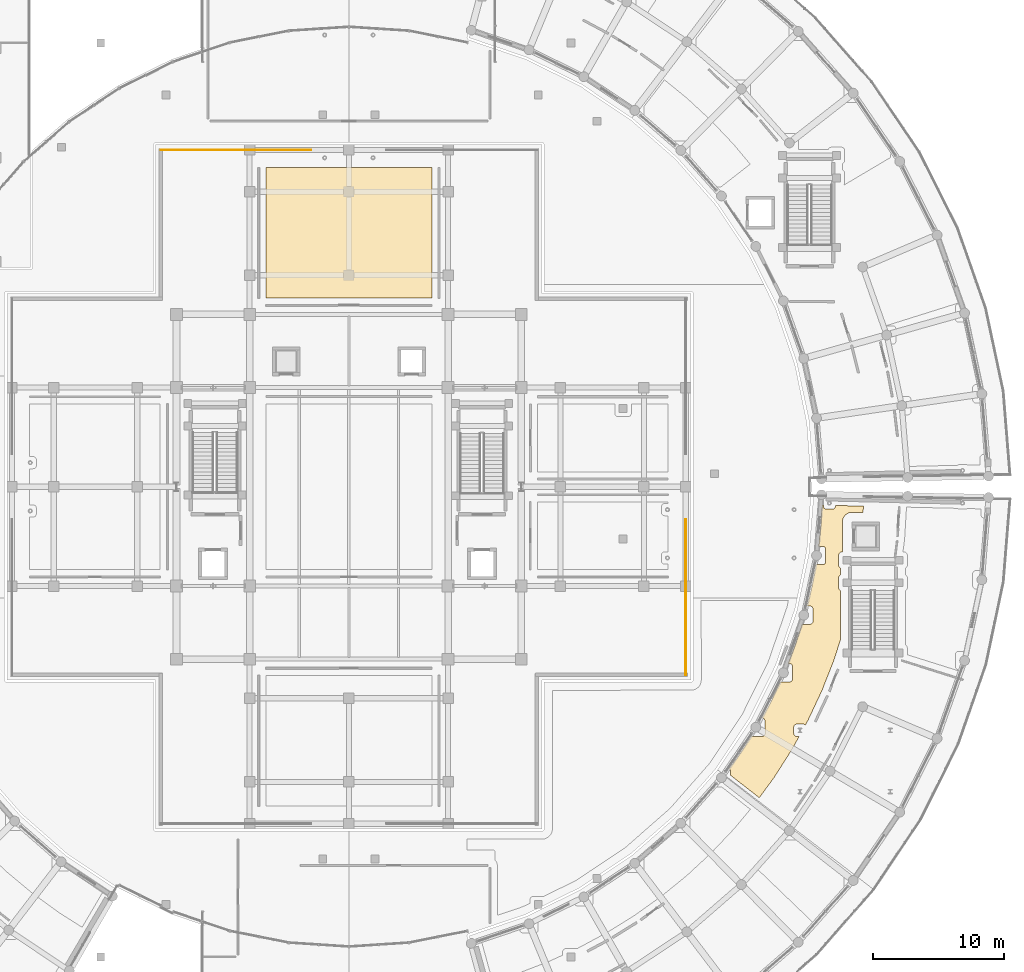
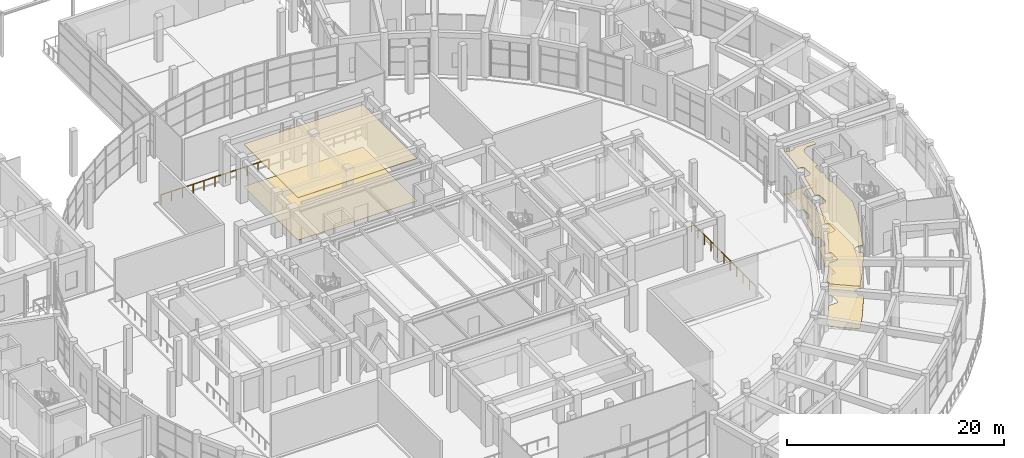
# One storey, part 91 of 99: 4 coverings, 2 railings.
"""IFC4 building model written with IfcOpenShell, lengths in metres."""

from ifc_helpers import new_model, si_unit, direction, frame, origin, origin_2d, place, context, subcontext, project, spatial, polyline, rectangle, outline, extrude, material, layer, layer_set, type_object, element, save


model = new_model("IFC4")

# Units and contexts
model_context = context("Model", 3, precision=1e-05, world=origin(), true_north=direction((0.0, 1.0)))
body_context = subcontext(model_context, "Body", "Model", "MODEL_VIEW")
ifc_project = project(units=[si_unit("LENGTHUNIT", "METRE"), si_unit("AREAUNIT", "SQUARE_METRE"), si_unit("VOLUMEUNIT", "CUBIC_METRE"), si_unit("PLANEANGLEUNIT", "RADIAN"), si_unit("MASSUNIT", "GRAM", prefix="KILO")], contexts=[model_context])

# Site, building, storey
site_placement = place(None, origin())
site = spatial("IfcSite", under=ifc_project, at=site_placement, CompositionType="ELEMENT")
building_placement = place(site_placement, origin())
building = spatial("IfcBuilding", under=site, at=building_placement, Name="Saryqyr Civic Hall", CompositionType="ELEMENT")
storey_placement = place(building_placement, origin())
storey = spatial("IfcBuildingStorey", under=building, at=storey_placement, Name="L00", CompositionType="ELEMENT", Elevation=0.0)

# Coverings
ifc_material_1 = material(Name="Mineral-fibre acoustic ceiling tile", Category="acoustic_tile")
ifc_layer_1 = layer(ifc_material_1, 0.06005859375, Name="Mineral-fibre acoustic ceiling tile")
ifc_layer_set_1 = layer_set([ifc_layer_1], Name="Mineral-fibre acoustic ceiling tile")
covering_type_1 = type_object("IfcCoveringType", Name="INT-COV-CEIL-60", PredefinedType="CEILING", material=ifc_layer_set_1)
covering_1_placement = place(storey_placement, frame((0.0, 0.0, 4.760009765625)))
element("IfcCovering", 1, at=covering_1_placement, inside=storey, type_object=covering_type_1, Name="Acoustic ceiling Civic Exhibition East Gallery", PredefinedType="CEILING", context=body_context, shape_type="SweptSolid", body=[
    extrude(outline(polyline([(88.62353515625, 64.884033203125), (88.64794921875, 64.88525390625), (88.67236328125, 64.888916015625), (88.696044921875, 64.894775390625), (88.71923828125, 64.903076171875), (88.7412109375, 64.91357421875), (88.762451171875, 64.926025390625), (88.781982421875, 64.940673828125), (88.80029296875, 64.957275390625), (88.81689453125, 64.975341796875), (88.831298828125, 64.9951171875), (88.843994140625, 65.01611328125), (88.8544921875, 65.038330078125), (88.86279296875, 65.061279296875), (88.86865234375, 65.085205078125), (88.872314453125, 65.109619140625), (88.87353515625, 65.134033203125), (88.87353515625, 66.0439453125), (88.872314453125, 66.068603515625), (88.86865234375, 66.0927734375), (88.86279296875, 66.11669921875), (88.8544921875, 66.1396484375), (88.843994140625, 66.161865234375), (88.831298828125, 66.182861328125), (88.81689453125, 66.20263671875), (88.80029296875, 66.220703125), (88.781982421875, 66.2373046875), (88.762451171875, 66.251953125), (88.7412109375, 66.264404296875), (88.71923828125, 66.27490234375), (88.696044921875, 66.283203125), (88.67236328125, 66.289306640625), (88.64794921875, 66.292724609375), (88.634521484375, 66.29345703125), (89.312255859375, 67.525390625), (89.328125, 67.556640625), (90.031494140625, 69.0546875), (90.736328125, 69.0546875), (90.760986328125, 69.055908203125), (90.78515625, 69.059326171875), (90.80908203125, 69.0654296875), (90.83203125, 69.073486328125), (90.854248046875, 69.083984375), (90.875244140625, 69.0966796875), (90.89501953125, 69.111328125), (90.9130859375, 69.127685546875), (90.9296875, 69.14599609375), (90.9443359375, 69.165771484375), (90.956787109375, 69.186767578125), (90.96728515625, 69.208984375), (90.9755859375, 69.23193359375), (90.981689453125, 69.255859375), (90.985107421875, 69.280029296875), (90.986328125, 69.3046875), (90.986328125, 70.214599609375), (90.985107421875, 70.239013671875), (90.981689453125, 70.263427734375), (90.9755859375, 70.287109375), (90.96728515625, 70.310302734375), (90.956787109375, 70.33251953125), (90.9443359375, 70.353515625), (90.9296875, 70.373291015625), (90.9130859375, 70.391357421875), (90.89501953125, 70.407958984375), (90.875244140625, 70.422607421875), (90.854248046875, 70.43505859375), (90.83203125, 70.445556640625), (90.80908203125, 70.453857421875), (90.78515625, 70.459716796875), (90.760986328125, 70.46337890625), (90.736328125, 70.464599609375), (90.631103515625, 70.464599609375), (91.14892578125, 71.779541015625), (91.160888671875, 71.8125), (91.691650390625, 73.462890625), (92.294189453125, 73.462890625), (92.318603515625, 73.464111328125), (92.343017578125, 73.467529296875), (92.36669921875, 73.4736328125), (92.389892578125, 73.481689453125), (92.412109375, 73.4921875), (92.43310546875, 73.5048828125), (92.452880859375, 73.51953125), (92.470947265625, 73.535888671875), (92.487548828125, 73.55419921875), (92.502197265625, 73.573974609375), (92.5146484375, 73.594970703125), (92.525146484375, 73.6171875), (92.533447265625, 73.64013671875), (92.539306640625, 73.6640625), (92.54296875, 73.688232421875), (92.544189453125, 73.712890625), (92.544189453125, 74.622802734375), (92.54296875, 74.647216796875), (92.539306640625, 74.671630859375), (92.533447265625, 74.6953125), (92.525146484375, 74.718505859375), (92.5146484375, 74.740478515625), (92.502197265625, 74.76171875), (92.487548828125, 74.781494140625), (92.470947265625, 74.799560546875), (92.452880859375, 74.816162109375), (92.43310546875, 74.830810546875), (92.412109375, 74.84326171875), (92.389892578125, 74.853759765625), (92.36669921875, 74.862060546875), (92.343017578125, 74.867919921875), (92.318603515625, 74.87158203125), (92.294189453125, 74.872802734375), (92.0849609375, 74.872802734375), (92.428466796875, 76.233154296875), (92.435791015625, 76.267333984375), (92.763671875, 78.034912109375), (93.270751953125, 78.034912109375), (93.29541015625, 78.0361328125), (93.319580078125, 78.039794921875), (93.343505859375, 78.045654296875), (93.366455078125, 78.053955078125), (93.388671875, 78.064453125), (93.40966796875, 78.076904296875), (93.429443359375, 78.091552734375), (93.447509765625, 78.108154296875), (93.464111328125, 78.126220703125), (93.478759765625, 78.14599609375), (93.4912109375, 78.1669921875), (93.501708984375, 78.189208984375), (93.510009765625, 78.21240234375), (93.51611328125, 78.236083984375), (93.51953125, 78.260498046875), (93.520751953125, 78.284912109375), (93.520751953125, 79.19482421875), (93.51953125, 79.219482421875), (93.51611328125, 79.24365234375), (93.510009765625, 79.267578125), (93.501708984375, 79.29052734375), (93.4912109375, 79.312744140625), (93.478759765625, 79.333740234375), (93.464111328125, 79.353515625), (93.447509765625, 79.37158203125), (93.429443359375, 79.38818359375), (93.40966796875, 79.40283203125), (93.388671875, 79.415283203125), (93.366455078125, 79.42578125), (93.343505859375, 79.43408203125), (93.319580078125, 79.440185546875), (93.29541015625, 79.443603515625), (93.270751953125, 79.44482421875), (92.965087890625, 79.44482421875), (93.12939453125, 80.8134765625), (93.132568359375, 80.848388671875), (93.229736328125, 82.595947265625), (93.33349609375, 82.593505859375), (93.33349609375, 82.533447265625), (93.334716796875, 82.509033203125), (93.33837890625, 82.484619140625), (93.34423828125, 82.4609375), (93.3525390625, 82.437744140625), (93.363037109375, 82.415771484375), (93.37548828125, 82.39453125), (93.39013671875, 82.375), (93.40673828125, 82.356689453125), (93.4248046875, 82.340087890625), (93.444580078125, 82.32568359375), (93.4658203125, 82.31298828125), (93.48779296875, 82.302490234375), (93.510986328125, 82.294189453125), (93.53466796875, 82.288330078125), (93.55908203125, 82.28466796875), (93.58349609375, 82.283447265625), (94.0166015625, 82.283447265625), (94.041015625, 82.28466796875), (94.065185546875, 82.288330078125), (94.089111328125, 82.294189453125), (94.1123046875, 82.302490234375), (94.13427734375, 82.31298828125), (94.155517578125, 82.32568359375), (94.175048828125, 82.340087890625), (94.193359375, 82.356689453125), (94.209716796875, 82.375), (94.224365234375, 82.39453125), (94.237060546875, 82.415771484375), (94.24755859375, 82.437744140625), (94.255615234375, 82.4609375), (94.26171875, 82.484619140625), (94.265380859375, 82.509033203125), (94.2666015625, 82.533447265625), (94.2666015625, 82.571533203125), (96.408203125, 82.52099609375), (96.382080078125, 82.050048828125), (95.550048828125, 82.050048828125), (95.530517578125, 82.049560546875), (95.49609375, 82.0478515625), (95.45703125, 82.0439453125), (95.423095703125, 82.038818359375), (95.384521484375, 82.03125), (95.351318359375, 82.02294921875), (95.313720703125, 82.011474609375), (95.28125, 82.0), (95.2451171875, 81.985107421875), (95.214111328125, 81.97021484375), (95.179443359375, 81.951904296875), (95.14990234375, 81.93408203125), (95.1171875, 81.912353515625), (95.089599609375, 81.891845703125), (95.059326171875, 81.866943359375), (95.033935546875, 81.843994140625), (95.006103515625, 81.816162109375), (94.983154296875, 81.790771484375), (94.958251953125, 81.76025390625), (94.937744140625, 81.732666015625), (94.916015625, 81.7001953125), (94.898193359375, 81.670654296875), (94.879638671875, 81.635986328125), (94.864990234375, 81.60498046875), (94.85009765625, 81.568603515625), (94.83837890625, 81.536376953125), (94.8271484375, 81.498779296875), (94.818603515625, 81.465576171875), (94.81103515625, 81.427001953125), (94.805908203125, 81.39306640625), (94.80224609375, 81.35400390625), (94.800537109375, 81.319580078125), (94.800048828125, 81.300048828125), (94.800048828125, 79.10009765625), (94.800537109375, 79.080322265625), (94.80224609375, 79.046142578125), (94.8056640625, 79.010009765625), (94.760009765625, 79.010009765625), (94.735595703125, 79.0087890625), (94.711181640625, 79.005126953125), (94.6875, 78.999267578125), (94.664306640625, 78.990966796875), (94.64208984375, 78.98046875), (94.62109375, 78.968017578125), (94.601318359375, 78.953369140625), (94.583251953125, 78.936767578125), (94.566650390625, 78.918701171875), (94.552001953125, 78.89892578125), (94.53955078125, 78.877685546875), (94.529052734375, 78.855712890625), (94.520751953125, 78.83251953125), (94.514892578125, 78.808837890625), (94.51123046875, 78.784423828125), (94.510009765625, 78.760009765625), (94.510009765625, 78.0), (94.51123046875, 77.9755859375), (94.514892578125, 77.951171875), (94.520751953125, 77.927490234375), (94.529052734375, 77.904296875), (94.53955078125, 77.882080078125), (94.552001953125, 77.861083984375), (94.566650390625, 77.84130859375), (94.583251953125, 77.8232421875), (94.601318359375, 77.806640625), (94.62109375, 77.7919921875), (94.64208984375, 77.779541015625), (94.659912109375, 77.77099609375), (94.659912109375, 77.2587890625), (94.64208984375, 77.25048828125), (94.62109375, 77.23779296875), (94.601318359375, 77.223388671875), (94.583251953125, 77.206787109375), (94.566650390625, 77.188720703125), (94.552001953125, 77.1689453125), (94.53955078125, 77.147705078125), (94.529052734375, 77.125732421875), (94.520751953125, 77.1025390625), (94.514892578125, 77.078857421875), (94.51123046875, 77.054443359375), (94.510009765625, 77.030029296875), (94.510009765625, 76.27001953125), (94.51123046875, 76.24560546875), (94.514892578125, 76.22119140625), (94.520751953125, 76.197509765625), (94.529052734375, 76.17431640625), (94.53955078125, 76.152099609375), (94.552001953125, 76.131103515625), (94.566650390625, 76.111328125), (94.583251953125, 76.09326171875), (94.601318359375, 76.07666015625), (94.62109375, 76.06201171875), (94.64208984375, 76.049560546875), (94.659912109375, 76.041015625), (94.659912109375, 72.318603515625), (94.1494140625, 70.7255859375), (93.2255859375, 68.380126953125), (92.15380859375, 66.097900390625), (91.962646484375, 65.750244140625), (91.956787109375, 65.7568359375), (91.938720703125, 65.773193359375), (91.9189453125, 65.787841796875), (91.897705078125, 65.800537109375), (91.875732421875, 65.81103515625), (91.8525390625, 65.819091796875), (91.828857421875, 65.8251953125), (91.804443359375, 65.828857421875), (91.780029296875, 65.830078125), (91.320068359375, 65.830078125), (91.29541015625, 65.828857421875), (91.271240234375, 65.8251953125), (91.247314453125, 65.819091796875), (91.224365234375, 65.81103515625), (91.2021484375, 65.800537109375), (91.18115234375, 65.787841796875), (91.161376953125, 65.773193359375), (91.143310546875, 65.7568359375), (91.126708984375, 65.738525390625), (91.112060546875, 65.718994140625), (91.099609375, 65.69775390625), (91.089111328125, 65.67578125), (91.080810546875, 65.652587890625), (91.07470703125, 65.62890625), (91.0712890625, 65.6044921875), (91.070068359375, 65.580078125), (91.070068359375, 65.1201171875), (91.0712890625, 65.095458984375), (91.07470703125, 65.0712890625), (91.080810546875, 65.04736328125), (91.089111328125, 65.0244140625), (91.099609375, 65.002197265625), (91.112060546875, 64.981201171875), (91.126708984375, 64.96142578125), (91.143310546875, 64.943115234375), (91.161376953125, 64.9267578125), (91.18115234375, 64.912109375), (91.2021484375, 64.8994140625), (91.224365234375, 64.888916015625), (91.247314453125, 64.880859375), (91.271240234375, 64.874755859375), (91.29541015625, 64.87109375), (91.320068359375, 64.8701171875), (91.478271484375, 64.8701171875), (90.9384765625, 63.888916015625), (89.58447265625, 61.761962890625), (88.433837890625, 60.186279296875), (86.24072265625, 61.898193359375), (86.24072265625, 62.180419921875), (86.239501953125, 62.205078125), (86.23583984375, 62.229248046875), (86.22998046875, 62.253173828125), (86.2216796875, 62.276123046875), (86.211181640625, 62.29833984375), (86.198486328125, 62.3193359375), (86.18408203125, 62.339111328125), (86.16748046875, 62.357421875), (86.1494140625, 62.373779296875), (86.129638671875, 62.388427734375), (86.11376953125, 62.39794921875), (86.947998046875, 63.5400390625), (86.9677734375, 63.569091796875), (87.804931640625, 64.884033203125), (88.62353515625, 64.884033203125)])), origin(), (0.0, 0.0, 1.0), 0.06005859375),
])
covering_2_placement = place(storey_placement, frame((0.0, 0.0, 4.760009765625)))
element("IfcCovering", 2, at=covering_2_placement, inside=storey, type_object=covering_type_1, Name="Acoustic ceiling Civic Ceremonial Cloakroom & Public Lounge", PredefinedType="CEILING", context=body_context, shape_type="SweptSolid", body=[
    extrude(outline(polyline([(50.64990234375, 98.449951171875), (50.64990234375, 108.449951171875), (63.35009765625, 108.449951171875), (63.35009765625, 98.449951171875), (50.64990234375, 98.449951171875)])), origin(), (0.0, 0.0, 1.0), 0.06005859375),
])
ifc_material_2 = material(Name="Polished terrazzo tile", Category="stone")
ifc_layer_2 = layer(ifc_material_2, 0.030029296875, Name="Polished terrazzo tile")
ifc_layer_set_2 = layer_set([ifc_layer_2], Name="Polished terrazzo tile")
covering_type_2 = type_object("IfcCoveringType", Name="INT-COV-FLR-30", PredefinedType="FLOORING", material=ifc_layer_set_2)
covering_3_placement = place(storey_placement, origin())
element("IfcCovering", 3, at=covering_3_placement, inside=storey, type_object=covering_type_2, Name="Polished terrazzo flooring Civic Exhibition East Gallery", PredefinedType="FLOORING", context=body_context, shape_type="SweptSolid", body=[
    extrude(outline(polyline([(88.62353515625, 64.884033203125), (88.64794921875, 64.88525390625), (88.67236328125, 64.888916015625), (88.696044921875, 64.894775390625), (88.71923828125, 64.903076171875), (88.7412109375, 64.91357421875), (88.762451171875, 64.926025390625), (88.781982421875, 64.940673828125), (88.80029296875, 64.957275390625), (88.81689453125, 64.975341796875), (88.831298828125, 64.9951171875), (88.843994140625, 65.01611328125), (88.8544921875, 65.038330078125), (88.86279296875, 65.061279296875), (88.86865234375, 65.085205078125), (88.872314453125, 65.109619140625), (88.87353515625, 65.134033203125), (88.87353515625, 66.0439453125), (88.872314453125, 66.068603515625), (88.86865234375, 66.0927734375), (88.86279296875, 66.11669921875), (88.8544921875, 66.1396484375), (88.843994140625, 66.161865234375), (88.831298828125, 66.182861328125), (88.81689453125, 66.20263671875), (88.80029296875, 66.220703125), (88.781982421875, 66.2373046875), (88.762451171875, 66.251953125), (88.7412109375, 66.264404296875), (88.71923828125, 66.27490234375), (88.696044921875, 66.283203125), (88.67236328125, 66.289306640625), (88.64794921875, 66.292724609375), (88.634521484375, 66.29345703125), (89.312255859375, 67.525390625), (89.328125, 67.556640625), (90.031494140625, 69.0546875), (90.736328125, 69.0546875), (90.760986328125, 69.055908203125), (90.78515625, 69.059326171875), (90.80908203125, 69.0654296875), (90.83203125, 69.073486328125), (90.854248046875, 69.083984375), (90.875244140625, 69.0966796875), (90.89501953125, 69.111328125), (90.9130859375, 69.127685546875), (90.9296875, 69.14599609375), (90.9443359375, 69.165771484375), (90.956787109375, 69.186767578125), (90.96728515625, 69.208984375), (90.9755859375, 69.23193359375), (90.981689453125, 69.255859375), (90.985107421875, 69.280029296875), (90.986328125, 69.3046875), (90.986328125, 70.214599609375), (90.985107421875, 70.239013671875), (90.981689453125, 70.263427734375), (90.9755859375, 70.287109375), (90.96728515625, 70.310302734375), (90.956787109375, 70.33251953125), (90.9443359375, 70.353515625), (90.9296875, 70.373291015625), (90.9130859375, 70.391357421875), (90.89501953125, 70.407958984375), (90.875244140625, 70.422607421875), (90.854248046875, 70.43505859375), (90.83203125, 70.445556640625), (90.80908203125, 70.453857421875), (90.78515625, 70.459716796875), (90.760986328125, 70.46337890625), (90.736328125, 70.464599609375), (90.631103515625, 70.464599609375), (91.14892578125, 71.779541015625), (91.160888671875, 71.8125), (91.691650390625, 73.462890625), (92.294189453125, 73.462890625), (92.318603515625, 73.464111328125), (92.343017578125, 73.467529296875), (92.36669921875, 73.4736328125), (92.389892578125, 73.481689453125), (92.412109375, 73.4921875), (92.43310546875, 73.5048828125), (92.452880859375, 73.51953125), (92.470947265625, 73.535888671875), (92.487548828125, 73.55419921875), (92.502197265625, 73.573974609375), (92.5146484375, 73.594970703125), (92.525146484375, 73.6171875), (92.533447265625, 73.64013671875), (92.539306640625, 73.6640625), (92.54296875, 73.688232421875), (92.544189453125, 73.712890625), (92.544189453125, 74.622802734375), (92.54296875, 74.647216796875), (92.539306640625, 74.671630859375), (92.533447265625, 74.6953125), (92.525146484375, 74.718505859375), (92.5146484375, 74.740478515625), (92.502197265625, 74.76171875), (92.487548828125, 74.781494140625), (92.470947265625, 74.799560546875), (92.452880859375, 74.816162109375), (92.43310546875, 74.830810546875), (92.412109375, 74.84326171875), (92.389892578125, 74.853759765625), (92.36669921875, 74.862060546875), (92.343017578125, 74.867919921875), (92.318603515625, 74.87158203125), (92.294189453125, 74.872802734375), (92.0849609375, 74.872802734375), (92.428466796875, 76.233154296875), (92.435791015625, 76.267333984375), (92.763671875, 78.034912109375), (93.270751953125, 78.034912109375), (93.29541015625, 78.0361328125), (93.319580078125, 78.039794921875), (93.343505859375, 78.045654296875), (93.366455078125, 78.053955078125), (93.388671875, 78.064453125), (93.40966796875, 78.076904296875), (93.429443359375, 78.091552734375), (93.447509765625, 78.108154296875), (93.464111328125, 78.126220703125), (93.478759765625, 78.14599609375), (93.4912109375, 78.1669921875), (93.501708984375, 78.189208984375), (93.510009765625, 78.21240234375), (93.51611328125, 78.236083984375), (93.51953125, 78.260498046875), (93.520751953125, 78.284912109375), (93.520751953125, 79.19482421875), (93.51953125, 79.219482421875), (93.51611328125, 79.24365234375), (93.510009765625, 79.267578125), (93.501708984375, 79.29052734375), (93.4912109375, 79.312744140625), (93.478759765625, 79.333740234375), (93.464111328125, 79.353515625), (93.447509765625, 79.37158203125), (93.429443359375, 79.38818359375), (93.40966796875, 79.40283203125), (93.388671875, 79.415283203125), (93.366455078125, 79.42578125), (93.343505859375, 79.43408203125), (93.319580078125, 79.440185546875), (93.29541015625, 79.443603515625), (93.270751953125, 79.44482421875), (92.965087890625, 79.44482421875), (93.12939453125, 80.8134765625), (93.132568359375, 80.848388671875), (93.229736328125, 82.595947265625), (93.33349609375, 82.593505859375), (93.33349609375, 82.533447265625), (93.334716796875, 82.509033203125), (93.33837890625, 82.484619140625), (93.34423828125, 82.4609375), (93.3525390625, 82.437744140625), (93.363037109375, 82.415771484375), (93.37548828125, 82.39453125), (93.39013671875, 82.375), (93.40673828125, 82.356689453125), (93.4248046875, 82.340087890625), (93.444580078125, 82.32568359375), (93.4658203125, 82.31298828125), (93.48779296875, 82.302490234375), (93.510986328125, 82.294189453125), (93.53466796875, 82.288330078125), (93.55908203125, 82.28466796875), (93.58349609375, 82.283447265625), (94.0166015625, 82.283447265625), (94.041015625, 82.28466796875), (94.065185546875, 82.288330078125), (94.089111328125, 82.294189453125), (94.1123046875, 82.302490234375), (94.13427734375, 82.31298828125), (94.155517578125, 82.32568359375), (94.175048828125, 82.340087890625), (94.193359375, 82.356689453125), (94.209716796875, 82.375), (94.224365234375, 82.39453125), (94.237060546875, 82.415771484375), (94.24755859375, 82.437744140625), (94.255615234375, 82.4609375), (94.26171875, 82.484619140625), (94.265380859375, 82.509033203125), (94.2666015625, 82.533447265625), (94.2666015625, 82.571533203125), (96.408203125, 82.52099609375), (96.382080078125, 82.050048828125), (95.550048828125, 82.050048828125), (95.530517578125, 82.049560546875), (95.49609375, 82.0478515625), (95.45703125, 82.0439453125), (95.423095703125, 82.038818359375), (95.384521484375, 82.03125), (95.351318359375, 82.02294921875), (95.313720703125, 82.011474609375), (95.28125, 82.0), (95.2451171875, 81.985107421875), (95.214111328125, 81.97021484375), (95.179443359375, 81.951904296875), (95.14990234375, 81.93408203125), (95.1171875, 81.912353515625), (95.089599609375, 81.891845703125), (95.059326171875, 81.866943359375), (95.033935546875, 81.843994140625), (95.006103515625, 81.816162109375), (94.983154296875, 81.790771484375), (94.958251953125, 81.76025390625), (94.937744140625, 81.732666015625), (94.916015625, 81.7001953125), (94.898193359375, 81.670654296875), (94.879638671875, 81.635986328125), (94.864990234375, 81.60498046875), (94.85009765625, 81.568603515625), (94.83837890625, 81.536376953125), (94.8271484375, 81.498779296875), (94.818603515625, 81.465576171875), (94.81103515625, 81.427001953125), (94.805908203125, 81.39306640625), (94.80224609375, 81.35400390625), (94.800537109375, 81.319580078125), (94.800048828125, 81.300048828125), (94.800048828125, 79.10009765625), (94.800537109375, 79.080322265625), (94.80224609375, 79.046142578125), (94.8056640625, 79.010009765625), (94.760009765625, 79.010009765625), (94.735595703125, 79.0087890625), (94.711181640625, 79.005126953125), (94.6875, 78.999267578125), (94.664306640625, 78.990966796875), (94.64208984375, 78.98046875), (94.62109375, 78.968017578125), (94.601318359375, 78.953369140625), (94.583251953125, 78.936767578125), (94.566650390625, 78.918701171875), (94.552001953125, 78.89892578125), (94.53955078125, 78.877685546875), (94.529052734375, 78.855712890625), (94.520751953125, 78.83251953125), (94.514892578125, 78.808837890625), (94.51123046875, 78.784423828125), (94.510009765625, 78.760009765625), (94.510009765625, 78.0), (94.51123046875, 77.9755859375), (94.514892578125, 77.951171875), (94.520751953125, 77.927490234375), (94.529052734375, 77.904296875), (94.53955078125, 77.882080078125), (94.552001953125, 77.861083984375), (94.566650390625, 77.84130859375), (94.583251953125, 77.8232421875), (94.601318359375, 77.806640625), (94.62109375, 77.7919921875), (94.64208984375, 77.779541015625), (94.659912109375, 77.77099609375), (94.659912109375, 77.2587890625), (94.64208984375, 77.25048828125), (94.62109375, 77.23779296875), (94.601318359375, 77.223388671875), (94.583251953125, 77.206787109375), (94.566650390625, 77.188720703125), (94.552001953125, 77.1689453125), (94.53955078125, 77.147705078125), (94.529052734375, 77.125732421875), (94.520751953125, 77.1025390625), (94.514892578125, 77.078857421875), (94.51123046875, 77.054443359375), (94.510009765625, 77.030029296875), (94.510009765625, 76.27001953125), (94.51123046875, 76.24560546875), (94.514892578125, 76.22119140625), (94.520751953125, 76.197509765625), (94.529052734375, 76.17431640625), (94.53955078125, 76.152099609375), (94.552001953125, 76.131103515625), (94.566650390625, 76.111328125), (94.583251953125, 76.09326171875), (94.601318359375, 76.07666015625), (94.62109375, 76.06201171875), (94.64208984375, 76.049560546875), (94.659912109375, 76.041015625), (94.659912109375, 72.318603515625), (94.1494140625, 70.7255859375), (93.2255859375, 68.380126953125), (92.15380859375, 66.097900390625), (91.962646484375, 65.750244140625), (91.956787109375, 65.7568359375), (91.938720703125, 65.773193359375), (91.9189453125, 65.787841796875), (91.897705078125, 65.800537109375), (91.875732421875, 65.81103515625), (91.8525390625, 65.819091796875), (91.828857421875, 65.8251953125), (91.804443359375, 65.828857421875), (91.780029296875, 65.830078125), (91.320068359375, 65.830078125), (91.29541015625, 65.828857421875), (91.271240234375, 65.8251953125), (91.247314453125, 65.819091796875), (91.224365234375, 65.81103515625), (91.2021484375, 65.800537109375), (91.18115234375, 65.787841796875), (91.161376953125, 65.773193359375), (91.143310546875, 65.7568359375), (91.126708984375, 65.738525390625), (91.112060546875, 65.718994140625), (91.099609375, 65.69775390625), (91.089111328125, 65.67578125), (91.080810546875, 65.652587890625), (91.07470703125, 65.62890625), (91.0712890625, 65.6044921875), (91.070068359375, 65.580078125), (91.070068359375, 65.1201171875), (91.0712890625, 65.095458984375), (91.07470703125, 65.0712890625), (91.080810546875, 65.04736328125), (91.089111328125, 65.0244140625), (91.099609375, 65.002197265625), (91.112060546875, 64.981201171875), (91.126708984375, 64.96142578125), (91.143310546875, 64.943115234375), (91.161376953125, 64.9267578125), (91.18115234375, 64.912109375), (91.2021484375, 64.8994140625), (91.224365234375, 64.888916015625), (91.247314453125, 64.880859375), (91.271240234375, 64.874755859375), (91.29541015625, 64.87109375), (91.320068359375, 64.8701171875), (91.478271484375, 64.8701171875), (90.9384765625, 63.888916015625), (89.58447265625, 61.761962890625), (88.433837890625, 60.186279296875), (86.24072265625, 61.898193359375), (86.24072265625, 62.180419921875), (86.239501953125, 62.205078125), (86.23583984375, 62.229248046875), (86.22998046875, 62.253173828125), (86.2216796875, 62.276123046875), (86.211181640625, 62.29833984375), (86.198486328125, 62.3193359375), (86.18408203125, 62.339111328125), (86.16748046875, 62.357421875), (86.1494140625, 62.373779296875), (86.129638671875, 62.388427734375), (86.11376953125, 62.39794921875), (86.947998046875, 63.5400390625), (86.9677734375, 63.569091796875), (87.804931640625, 64.884033203125), (88.62353515625, 64.884033203125)])), origin(), (0.0, 0.0, 1.0), 0.030029296875),
])
covering_4_placement = place(storey_placement, origin())
element("IfcCovering", 4, at=covering_4_placement, inside=storey, type_object=covering_type_2, Name="Polished terrazzo flooring Civic Ceremonial Cloakroom & Public Lounge", PredefinedType="FLOORING", context=body_context, shape_type="SweptSolid", body=[
    extrude(outline(polyline([(50.64990234375, 98.449951171875), (50.64990234375, 108.449951171875), (63.35009765625, 108.449951171875), (63.35009765625, 98.449951171875), (50.64990234375, 98.449951171875)])), origin(), (0.0, 0.0, 1.0), 0.030029296875),
])

# Railings
ifc_material_3 = material(Name="Warm brushed brass and laminated glass", Category="glass")
ifc_layer_3 = layer(ifc_material_3, 0.06005859375, Name="Warm brushed brass and laminated glass")
ifc_layer_set_3 = layer_set([ifc_layer_3], Name="Warm brushed brass and laminated glass")
railing_type = type_object("IfcRailingType", Name="INT-RLG-BAL-1100", PredefinedType="BALUSTRADE", material=ifc_layer_set_3)
railing_1_placement = place(storey_placement, frame((42.60009765625, 109.800048828125, 0.0)))
element("IfcRailing", 5, at=railing_1_placement, inside=storey, type_object=railing_type, Name="Perimeter safety balustrade V1-JNTGA-L00-05-G01", PredefinedType="BALUSTRADE", context=body_context, shape_type="SweptSolid", body=[
    extrude(rectangle(XDim=0.048095703125, YDim=0.048095703125, at=origin_2d()), frame((0.0, 0.0, 1.076171875), z_axis=(1.0, 0.0, 0.0), x_axis=(0.0, 1.0, 0.0)), (0.0, 0.0, 1.0), 11.5),
    extrude(rectangle(XDim=0.0419921875, YDim=0.0419921875, at=origin_2d()), origin(), (0.0, 0.0, 1.0), 1.052001953125),
    extrude(rectangle(XDim=0.0419921875, YDim=0.0419921875, at=origin_2d()), frame((1.14990234375, 0.0, 0.0)), (0.0, 0.0, 1.0), 1.052001953125),
    extrude(rectangle(XDim=0.0419921875, YDim=0.0419921875, at=origin_2d()), frame((2.300048828125, 0.0, 0.0)), (0.0, 0.0, 1.0), 1.052001953125),
    extrude(rectangle(XDim=0.0419921875, YDim=0.0419921875, at=origin_2d()), frame((3.449951171875, 0.0, 0.0)), (0.0, 0.0, 1.0), 1.052001953125),
    extrude(rectangle(XDim=0.0419921875, YDim=0.0419921875, at=origin_2d()), frame((4.60009765625, 0.0, 0.0)), (0.0, 0.0, 1.0), 1.052001953125),
    extrude(rectangle(XDim=0.0419921875, YDim=0.0419921875, at=origin_2d()), frame((5.75, 0.0, 0.0)), (0.0, 0.0, 1.0), 1.052001953125),
    extrude(rectangle(XDim=0.0419921875, YDim=0.0419921875, at=origin_2d()), frame((6.89990234375, 0.0, 0.0)), (0.0, 0.0, 1.0), 1.052001953125),
    extrude(rectangle(XDim=0.0419921875, YDim=0.0419921875, at=origin_2d()), frame((8.050048828125, 0.0, 0.0)), (0.0, 0.0, 1.0), 1.052001953125),
    extrude(rectangle(XDim=0.0419921875, YDim=0.0419921875, at=origin_2d()), frame((9.199951171875, 0.0, 0.0)), (0.0, 0.0, 1.0), 1.052001953125),
    extrude(rectangle(XDim=0.0419921875, YDim=0.0419921875, at=origin_2d()), frame((10.35009765625, 0.0, 0.0)), (0.0, 0.0, 1.0), 1.052001953125),
    extrude(rectangle(XDim=0.0419921875, YDim=0.0419921875, at=origin_2d()), frame((11.5, 0.0, 0.0)), (0.0, 0.0, 1.0), 1.052001953125),
])
railing_2_placement = place(storey_placement, frame((82.800048828125, 69.60009765625, 0.0)))
element("IfcRailing", 6, at=railing_2_placement, inside=storey, type_object=railing_type, Name="Perimeter safety balustrade V1-JNTGA-L00-08-G01", PredefinedType="BALUSTRADE", context=body_context, shape_type="SweptSolid", body=[
    extrude(rectangle(XDim=0.048095703125, YDim=0.048095703125, at=origin_2d()), frame((0.0, 0.0, 1.076171875), z_axis=(0.0, 1.0, 0.0), x_axis=(-1.0, 0.0, 0.0)), (0.0, 0.0, 1.0), 11.89990234375),
    extrude(rectangle(XDim=0.0419921875, YDim=0.0419921875, at=origin_2d()), origin(), (0.0, 0.0, 1.0), 1.052001953125),
    extrude(rectangle(XDim=0.0419921875, YDim=0.0419921875, at=origin_2d()), frame((0.0, 1.18994140625, 0.0)), (0.0, 0.0, 1.0), 1.052001953125),
    extrude(rectangle(XDim=0.0419921875, YDim=0.0419921875, at=origin_2d()), frame((0.0, 2.3798828125, 0.0)), (0.0, 0.0, 1.0), 1.052001953125),
    extrude(rectangle(XDim=0.0419921875, YDim=0.0419921875, at=origin_2d()), frame((0.0, 3.570068359375, 0.0)), (0.0, 0.0, 1.0), 1.052001953125),
    extrude(rectangle(XDim=0.0419921875, YDim=0.0419921875, at=origin_2d()), frame((0.0, 4.760009765625, 0.0)), (0.0, 0.0, 1.0), 1.052001953125),
    extrude(rectangle(XDim=0.0419921875, YDim=0.0419921875, at=origin_2d()), frame((0.0, 5.949951171875, 0.0)), (0.0, 0.0, 1.0), 1.052001953125),
    extrude(rectangle(XDim=0.0419921875, YDim=0.0419921875, at=origin_2d()), frame((0.0, 7.139892578125, 0.0)), (0.0, 0.0, 1.0), 1.052001953125),
    extrude(rectangle(XDim=0.0419921875, YDim=0.0419921875, at=origin_2d()), frame((0.0, 8.329833984375, 0.0)), (0.0, 0.0, 1.0), 1.052001953125),
    extrude(rectangle(XDim=0.0419921875, YDim=0.0419921875, at=origin_2d()), frame((0.0, 9.52001953125, 0.0)), (0.0, 0.0, 1.0), 1.052001953125),
    extrude(rectangle(XDim=0.0419921875, YDim=0.0419921875, at=origin_2d()), frame((0.0, 10.7099609375, 0.0)), (0.0, 0.0, 1.0), 1.052001953125),
    extrude(rectangle(XDim=0.0419921875, YDim=0.0419921875, at=origin_2d()), frame((0.0, 11.89990234375, 0.0)), (0.0, 0.0, 1.0), 1.052001953125),
])

save(model, "model.ifc")
